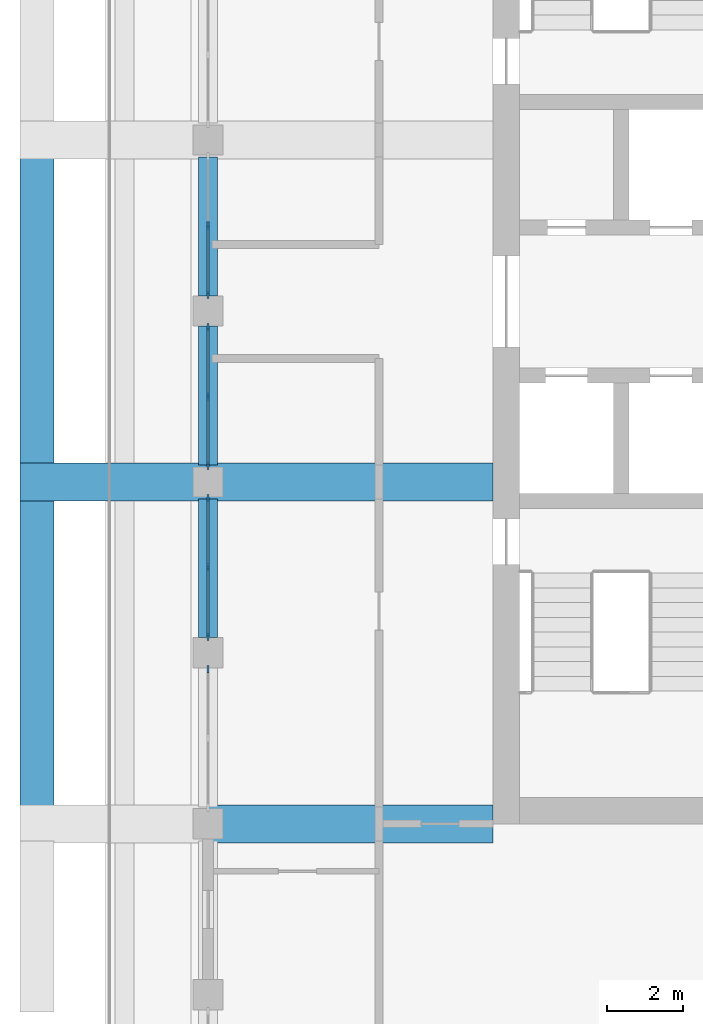
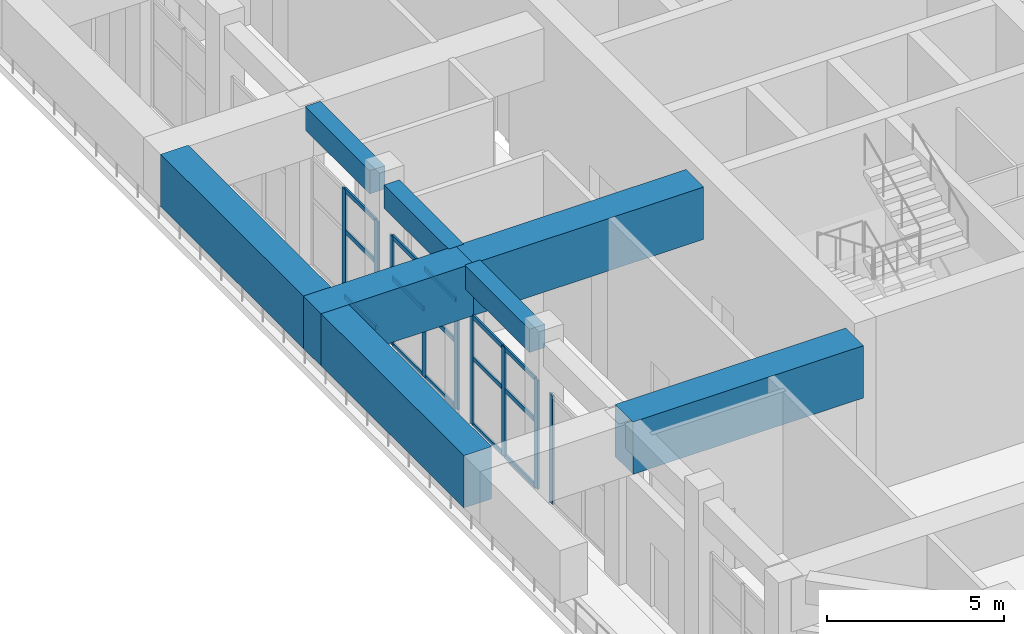
# One storey, part 3 of 25: 24 members, 8 beams, 4 elements without a shape of their own.
"""IFC4 building model written with IfcOpenShell, lengths in metres."""

from ifc_helpers import new_model, si_unit, direction, frame, origin, origin_2d, place, context, subcontext, project, spatial, rectangle, extrude, material, material_profile, profile_set, type_object, element, aggregate, save


model = new_model("IFC4")

# Units and contexts
model_context = context("Model", 3, precision=1e-05, world=origin(), true_north=direction((0.0, 1.0)))
body_context = subcontext(model_context, "Body", "Model", "MODEL_VIEW")
ifc_project = project(units=[si_unit("LENGTHUNIT", "METRE"), si_unit("AREAUNIT", "SQUARE_METRE"), si_unit("VOLUMEUNIT", "CUBIC_METRE"), si_unit("PLANEANGLEUNIT", "RADIAN"), si_unit("MASSUNIT", "GRAM", prefix="KILO")], contexts=[model_context])

# Site, building, storey
site_placement = place(None, origin())
site = spatial("IfcSite", under=ifc_project, at=site_placement, CompositionType="ELEMENT")
building_placement = place(site_placement, origin())
building = spatial("IfcBuilding", under=site, at=building_placement, Name="Corbel Stack Research Tower", CompositionType="ELEMENT")
storey_placement = place(building_placement, frame((0.0, 0.0, 260.300048828125)))
storey = spatial("IfcBuildingStorey", under=building, at=storey_placement, Name="L59", CompositionType="ELEMENT", Elevation=260.300048828125)

# Curtain wall, members
ifc_material_1 = material(Name="Aluminium frame, clear glass", Category="aluminium")
curtain_wall_type = type_object("IfcCurtainWallType", Name="Upper amenity floor curtain wall CW3", PredefinedType="NOTDEFINED", material=ifc_material_1)
curtain_wall_1_placement = place(storey_placement, origin())
curtain_wall_1 = element("IfcCurtainWall", 1, at=curtain_wall_1_placement, inside=storey, type_object=curtain_wall_type, Name="Curtain wall CW3 L59 W05", PredefinedType="NOTDEFINED")
ifc_material_2 = material(Name="Aluminium mullion", Category="aluminium")
ifc_material_profile_1 = material_profile(ifc_material_2, rectangle(XDim=0.06005859375, YDim=0.199951171875, at=origin_2d()), Name="Mullion 60 x 200")
ifc_profile_set_1 = profile_set([ifc_material_profile_1], Name="Aluminium mullion")
member_type_1 = type_object("IfcMemberType", Name="Curtain wall mullion 60 x 200", PredefinedType="MULLION", material=ifc_profile_set_1)
member_1_placement = place(storey_placement, frame((-18.0, 6.75, 0.0), z_axis=(0.0, 0.0, 1.0), x_axis=(1.0, 0.0, 0.0)))
member_1 = element("IfcMember", 2, at=member_1_placement, type_object=member_type_1, Name="CW3 mullion 2", PredefinedType="MULLION", context=body_context, shape_type="SweptSolid", body=[
    extrude(rectangle(XDim=0.06005859375, YDim=0.199951171875, at=origin_2d()), origin(), (0.0, 0.0, 1.0), 3.75),
])
member_2_placement = place(storey_placement, frame((-18.0, 4.929931640625, 0.0), z_axis=(0.0, 0.0, 1.0), x_axis=(1.0, 0.0, 0.0)))
member_2 = element("IfcMember", 3, at=member_2_placement, type_object=member_type_1, Name="CW3 mullion 3", PredefinedType="MULLION", context=body_context, shape_type="SweptSolid", body=[
    extrude(rectangle(XDim=0.06005859375, YDim=0.199951171875, at=origin_2d()), origin(), (0.0, 0.0, 1.0), 3.75),
])

curtain_wall_2_placement = place(storey_placement, origin())
curtain_wall_2 = element("IfcCurtainWall", 4, at=curtain_wall_2_placement, inside=storey, type_object=curtain_wall_type, Name="Curtain wall CW3 L59 W06", PredefinedType="NOTDEFINED")
member_3_placement = place(storey_placement, frame((-18.0, 4.070068359375, 0.0), z_axis=(0.0, 0.0, 1.0), x_axis=(1.0, 0.0, 0.0)))
member_3 = element("IfcMember", 5, at=member_3_placement, type_object=member_type_1, Name="CW3 mullion 1", PredefinedType="MULLION", context=body_context, shape_type="SweptSolid", body=[
    extrude(rectangle(XDim=0.06005859375, YDim=0.199951171875, at=origin_2d()), origin(), (0.0, 0.0, 1.0), 3.75),
])
member_4_placement = place(storey_placement, frame((-18.0, 2.25, 0.0), z_axis=(0.0, 0.0, 1.0), x_axis=(1.0, 0.0, 0.0)))
member_4 = element("IfcMember", 6, at=member_4_placement, type_object=member_type_1, Name="CW3 mullion 2", PredefinedType="MULLION", context=body_context, shape_type="SweptSolid", body=[
    extrude(rectangle(XDim=0.06005859375, YDim=0.199951171875, at=origin_2d()), origin(), (0.0, 0.0, 1.0), 3.75),
])
member_5_placement = place(storey_placement, frame((-18.0, 0.429931640625, 0.0), z_axis=(0.0, 0.0, 1.0), x_axis=(1.0, 0.0, 0.0)))
member_5 = element("IfcMember", 7, at=member_5_placement, type_object=member_type_1, Name="CW3 mullion 3", PredefinedType="MULLION", context=body_context, shape_type="SweptSolid", body=[
    extrude(rectangle(XDim=0.06005859375, YDim=0.199951171875, at=origin_2d()), origin(), (0.0, 0.0, 1.0), 3.75),
])

curtain_wall_3_placement = place(storey_placement, origin())
curtain_wall_3 = element("IfcCurtainWall", 8, at=curtain_wall_3_placement, inside=storey, type_object=curtain_wall_type, Name="Curtain wall CW3 L59 W07", PredefinedType="NOTDEFINED")
member_6_placement = place(storey_placement, frame((-18.0, -0.429931640625, 0.0), z_axis=(0.0, 0.0, 1.0), x_axis=(1.0, 0.0, 0.0)))
member_6 = element("IfcMember", 9, at=member_6_placement, type_object=member_type_1, Name="CW3 mullion 1", PredefinedType="MULLION", context=body_context, shape_type="SweptSolid", body=[
    extrude(rectangle(XDim=0.06005859375, YDim=0.199951171875, at=origin_2d()), origin(), (0.0, 0.0, 1.0), 3.75),
])
member_7_placement = place(storey_placement, frame((-18.0, -2.25, 0.0), z_axis=(0.0, 0.0, 1.0), x_axis=(1.0, 0.0, 0.0)))
member_7 = element("IfcMember", 10, at=member_7_placement, type_object=member_type_1, Name="CW3 mullion 2", PredefinedType="MULLION", context=body_context, shape_type="SweptSolid", body=[
    extrude(rectangle(XDim=0.06005859375, YDim=0.199951171875, at=origin_2d()), origin(), (0.0, 0.0, 1.0), 3.75),
])
member_8_placement = place(storey_placement, frame((-18.0, -4.070068359375, 0.0), z_axis=(0.0, 0.0, 1.0), x_axis=(1.0, 0.0, 0.0)))
member_8 = element("IfcMember", 11, at=member_8_placement, type_object=member_type_1, Name="CW3 mullion 3", PredefinedType="MULLION", context=body_context, shape_type="SweptSolid", body=[
    extrude(rectangle(XDim=0.06005859375, YDim=0.199951171875, at=origin_2d()), origin(), (0.0, 0.0, 1.0), 3.75),
])

# Curtain wall, member
curtain_wall_4_placement = place(storey_placement, origin())
curtain_wall_4 = element("IfcCurtainWall", 12, at=curtain_wall_4_placement, inside=storey, type_object=curtain_wall_type, Name="Curtain wall CW3 L59 W08", PredefinedType="NOTDEFINED")
member_9_placement = place(storey_placement, frame((-18.0, -4.929931640625, 0.0), z_axis=(0.0, 0.0, 1.0), x_axis=(1.0, 0.0, 0.0)))
member_9 = element("IfcMember", 13, at=member_9_placement, type_object=member_type_1, Name="CW3 mullion 1", PredefinedType="MULLION", context=body_context, shape_type="SweptSolid", body=[
    extrude(rectangle(XDim=0.06005859375, YDim=0.199951171875, at=origin_2d()), origin(), (0.0, 0.0, 1.0), 3.75),
])
aggregate(curtain_wall_4, [member_9])

# Member
ifc_material_3 = material(Name="Aluminium transom", Category="aluminium")
ifc_material_profile_2 = material_profile(ifc_material_3, rectangle(XDim=0.06005859375, YDim=0.14990234375, at=origin_2d()), Name="Transom 60 x 150")
ifc_profile_set_2 = profile_set([ifc_material_profile_2], Name="Aluminium transom")
member_type_2 = type_object("IfcMemberType", Name="Curtain wall transom 60 x 150", PredefinedType="USERDEFINED", material=ifc_profile_set_2)
member_10_placement = place(storey_placement, frame((-18.0, 6.719970703125, 0.030029296875), z_axis=(0.0, -1.0, 0.0), x_axis=(1.0, 0.0, 0.0)))
member_10 = element("IfcMember", 14, at=member_10_placement, type_object=member_type_2, Name="CW3 transom 2.1", ObjectType="TRANSOM", PredefinedType="USERDEFINED", context=body_context, shape_type="SweptSolid", body=[
    extrude(rectangle(XDim=0.06005859375, YDim=0.14990234375, at=origin_2d()), origin(), (0.0, 0.0, 1.0), 1.760009765625),
])

member_11_placement = place(storey_placement, frame((-18.0, 6.719970703125, 2.300048828125), z_axis=(0.0, -1.0, 0.0), x_axis=(1.0, 0.0, 0.0)))
member_11 = element("IfcMember", 15, at=member_11_placement, type_object=member_type_2, Name="CW3 transom 2.2", ObjectType="TRANSOM", PredefinedType="USERDEFINED", context=body_context, shape_type="SweptSolid", body=[
    extrude(rectangle(XDim=0.06005859375, YDim=0.14990234375, at=origin_2d()), origin(), (0.0, 0.0, 1.0), 1.760009765625),
])

member_12_placement = place(storey_placement, frame((-18.0, 6.719970703125, 3.719970703125), z_axis=(0.0, -1.0, 0.0), x_axis=(1.0, 0.0, 0.0)))
member_12 = element("IfcMember", 16, at=member_12_placement, type_object=member_type_2, Name="CW3 transom 2.3", ObjectType="TRANSOM", PredefinedType="USERDEFINED", context=body_context, shape_type="SweptSolid", body=[
    extrude(rectangle(XDim=0.06005859375, YDim=0.14990234375, at=origin_2d()), origin(), (0.0, 0.0, 1.0), 1.760009765625),
])

aggregate(curtain_wall_1, [member_1, member_2, member_10, member_11, member_12])

member_13_placement = place(storey_placement, frame((-18.0, 4.0400390625, 0.030029296875), z_axis=(0.0, -1.0, 0.0), x_axis=(1.0, 0.0, 0.0)))
member_13 = element("IfcMember", 17, at=member_13_placement, type_object=member_type_2, Name="CW3 transom 1.1", ObjectType="TRANSOM", PredefinedType="USERDEFINED", context=body_context, shape_type="SweptSolid", body=[
    extrude(rectangle(XDim=0.06005859375, YDim=0.14990234375, at=origin_2d()), origin(), (0.0, 0.0, 1.0), 1.760009765625),
])

member_14_placement = place(storey_placement, frame((-18.0, 4.0400390625, 2.300048828125), z_axis=(0.0, -1.0, 0.0), x_axis=(1.0, 0.0, 0.0)))
member_14 = element("IfcMember", 18, at=member_14_placement, type_object=member_type_2, Name="CW3 transom 1.2", ObjectType="TRANSOM", PredefinedType="USERDEFINED", context=body_context, shape_type="SweptSolid", body=[
    extrude(rectangle(XDim=0.06005859375, YDim=0.14990234375, at=origin_2d()), origin(), (0.0, 0.0, 1.0), 1.760009765625),
])

member_15_placement = place(storey_placement, frame((-18.0, 4.0400390625, 3.719970703125), z_axis=(0.0, -1.0, 0.0), x_axis=(1.0, 0.0, 0.0)))
member_15 = element("IfcMember", 19, at=member_15_placement, type_object=member_type_2, Name="CW3 transom 1.3", ObjectType="TRANSOM", PredefinedType="USERDEFINED", context=body_context, shape_type="SweptSolid", body=[
    extrude(rectangle(XDim=0.06005859375, YDim=0.14990234375, at=origin_2d()), origin(), (0.0, 0.0, 1.0), 1.760009765625),
])

member_16_placement = place(storey_placement, frame((-18.0, 2.219970703125, 0.030029296875), z_axis=(0.0, -1.0, 0.0), x_axis=(1.0, 0.0, 0.0)))
member_16 = element("IfcMember", 20, at=member_16_placement, type_object=member_type_2, Name="CW3 transom 2.1", ObjectType="TRANSOM", PredefinedType="USERDEFINED", context=body_context, shape_type="SweptSolid", body=[
    extrude(rectangle(XDim=0.06005859375, YDim=0.14990234375, at=origin_2d()), origin(), (0.0, 0.0, 1.0), 1.760009765625),
])

member_17_placement = place(storey_placement, frame((-18.0, 2.219970703125, 2.300048828125), z_axis=(0.0, -1.0, 0.0), x_axis=(1.0, 0.0, 0.0)))
member_17 = element("IfcMember", 21, at=member_17_placement, type_object=member_type_2, Name="CW3 transom 2.2", ObjectType="TRANSOM", PredefinedType="USERDEFINED", context=body_context, shape_type="SweptSolid", body=[
    extrude(rectangle(XDim=0.06005859375, YDim=0.14990234375, at=origin_2d()), origin(), (0.0, 0.0, 1.0), 1.760009765625),
])

member_18_placement = place(storey_placement, frame((-18.0, 2.219970703125, 3.719970703125), z_axis=(0.0, -1.0, 0.0), x_axis=(1.0, 0.0, 0.0)))
member_18 = element("IfcMember", 22, at=member_18_placement, type_object=member_type_2, Name="CW3 transom 2.3", ObjectType="TRANSOM", PredefinedType="USERDEFINED", context=body_context, shape_type="SweptSolid", body=[
    extrude(rectangle(XDim=0.06005859375, YDim=0.14990234375, at=origin_2d()), origin(), (0.0, 0.0, 1.0), 1.760009765625),
])

aggregate(curtain_wall_2, [member_3, member_4, member_5, member_13, member_14, member_15, member_16, member_17, member_18])

member_19_placement = place(storey_placement, frame((-18.0, -0.4599609375, 0.030029296875), z_axis=(0.0, -1.0, 0.0), x_axis=(1.0, 0.0, 0.0)))
member_19 = element("IfcMember", 23, at=member_19_placement, type_object=member_type_2, Name="CW3 transom 1.1", ObjectType="TRANSOM", PredefinedType="USERDEFINED", context=body_context, shape_type="SweptSolid", body=[
    extrude(rectangle(XDim=0.06005859375, YDim=0.14990234375, at=origin_2d()), origin(), (0.0, 0.0, 1.0), 1.760009765625),
])

member_20_placement = place(storey_placement, frame((-18.0, -0.4599609375, 2.300048828125), z_axis=(0.0, -1.0, 0.0), x_axis=(1.0, 0.0, 0.0)))
member_20 = element("IfcMember", 24, at=member_20_placement, type_object=member_type_2, Name="CW3 transom 1.2", ObjectType="TRANSOM", PredefinedType="USERDEFINED", context=body_context, shape_type="SweptSolid", body=[
    extrude(rectangle(XDim=0.06005859375, YDim=0.14990234375, at=origin_2d()), origin(), (0.0, 0.0, 1.0), 1.760009765625),
])

member_21_placement = place(storey_placement, frame((-18.0, -0.4599609375, 3.719970703125), z_axis=(0.0, -1.0, 0.0), x_axis=(1.0, 0.0, 0.0)))
member_21 = element("IfcMember", 25, at=member_21_placement, type_object=member_type_2, Name="CW3 transom 1.3", ObjectType="TRANSOM", PredefinedType="USERDEFINED", context=body_context, shape_type="SweptSolid", body=[
    extrude(rectangle(XDim=0.06005859375, YDim=0.14990234375, at=origin_2d()), origin(), (0.0, 0.0, 1.0), 1.760009765625),
])

member_22_placement = place(storey_placement, frame((-18.0, -2.280029296875, 0.030029296875), z_axis=(0.0, -1.0, 0.0), x_axis=(1.0, 0.0, 0.0)))
member_22 = element("IfcMember", 26, at=member_22_placement, type_object=member_type_2, Name="CW3 transom 2.1", ObjectType="TRANSOM", PredefinedType="USERDEFINED", context=body_context, shape_type="SweptSolid", body=[
    extrude(rectangle(XDim=0.06005859375, YDim=0.14990234375, at=origin_2d()), origin(), (0.0, 0.0, 1.0), 1.760009765625),
])

member_23_placement = place(storey_placement, frame((-18.0, -2.280029296875, 2.300048828125), z_axis=(0.0, -1.0, 0.0), x_axis=(1.0, 0.0, 0.0)))
member_23 = element("IfcMember", 27, at=member_23_placement, type_object=member_type_2, Name="CW3 transom 2.2", ObjectType="TRANSOM", PredefinedType="USERDEFINED", context=body_context, shape_type="SweptSolid", body=[
    extrude(rectangle(XDim=0.06005859375, YDim=0.14990234375, at=origin_2d()), origin(), (0.0, 0.0, 1.0), 1.760009765625),
])

member_24_placement = place(storey_placement, frame((-18.0, -2.280029296875, 3.719970703125), z_axis=(0.0, -1.0, 0.0), x_axis=(1.0, 0.0, 0.0)))
member_24 = element("IfcMember", 28, at=member_24_placement, type_object=member_type_2, Name="CW3 transom 2.3", ObjectType="TRANSOM", PredefinedType="USERDEFINED", context=body_context, shape_type="SweptSolid", body=[
    extrude(rectangle(XDim=0.06005859375, YDim=0.14990234375, at=origin_2d()), origin(), (0.0, 0.0, 1.0), 1.760009765625),
])

aggregate(curtain_wall_3, [member_6, member_7, member_8, member_19, member_20, member_21, member_22, member_23, member_24])

# Beams
ifc_material_4 = material(Name="Concrete C60/75", Category="concrete")
ifc_material_profile_3 = material_profile(ifc_material_4, rectangle(XDim=0.5, YDim=0.800048828125, at=origin_2d()), Name="RC 500 x 800")
ifc_profile_set_3 = profile_set([ifc_material_profile_3], Name="Concrete C60/75")
beam_type_1 = type_object("IfcBeamType", Name="SB-500-800-450", PredefinedType="SPANDREL", material=ifc_profile_set_3)
for number, where, z_axis, x_axis, name in (
    (29, (-18.0, 8.550048828125, 5.14990234375), (0.0, -1.0, 0.0), (1.0, 0.0, 0.0), "Spandrel beam L59-34"),
    (30, (-18.0, 4.10009765625, 5.14990234375), (0.0, -1.0, 0.0), (1.0, 0.0, 0.0), "Spandrel beam L59-35"),
    (31, (-18.0, -0.449951171875, 5.14990234375), (0.0, -1.0, 0.0), (1.0, 0.0, 0.0), "Spandrel beam L59-36"),
):
    element("IfcBeam", number, at=place(storey_placement, frame(where, z_axis=z_axis, x_axis=x_axis)), inside=storey, type_object=beam_type_1, Name=name, PredefinedType="SPANDREL", context=body_context, shape_type="SweptSolid", body=[
        extrude(rectangle(XDim=0.5, YDim=0.800048828125, at=origin_2d()), origin(), (0.0, 0.0, 1.0), 3.650146484375),
    ])
ifc_material_5 = material(Name="Concrete C60/75", Category="concrete")
ifc_material_profile_4 = material_profile(ifc_material_5, rectangle(XDim=1.0, YDim=1.800048828125, at=origin_2d()), Name="RC 1000 x 1800")
ifc_profile_set_4 = profile_set([ifc_material_profile_4], Name="Concrete C60/75")
beam_type_2 = type_object("IfcBeamType", Name="TG-1000-1800", PredefinedType="BEAM", material=ifc_profile_set_4)
beam_1_placement = place(storey_placement, frame((-18.0, -9.0, 4.64990234375), z_axis=(1.0, 0.0, 0.0), x_axis=(0.0, 1.0, 0.0)))
element("IfcBeam", 32, at=beam_1_placement, inside=storey, type_object=beam_type_2, Name="Transfer girder L59 W-9b", PredefinedType="BEAM", context=body_context, shape_type="SweptSolid", body=[
    extrude(rectangle(XDim=1.0, YDim=1.800048828125, at=origin_2d()), origin(), (0.0, 0.0, 1.0), 7.5),
])
beam_2_placement = place(storey_placement, frame((-22.949951171875, 0.0, 4.64990234375), z_axis=(1.0, 0.0, 0.0), x_axis=(0.0, 1.0, 0.0)))
element("IfcBeam", 33, at=beam_2_placement, inside=storey, type_object=beam_type_2, Name="Transfer girder L59 W0c", PredefinedType="BEAM", context=body_context, shape_type="SweptSolid", body=[
    extrude(rectangle(XDim=1.0, YDim=1.800048828125, at=origin_2d()), origin(), (0.0, 0.0, 1.0), 4.949951171875),
])
beam_3_placement = place(storey_placement, frame((-18.0, 0.0, 4.64990234375), z_axis=(1.0, 0.0, 0.0), x_axis=(0.0, 1.0, 0.0)))
element("IfcBeam", 34, at=beam_3_placement, inside=storey, type_object=beam_type_2, Name="Transfer girder L59 W0b", PredefinedType="BEAM", context=body_context, shape_type="SweptSolid", body=[
    extrude(rectangle(XDim=1.0, YDim=1.800048828125, at=origin_2d()), origin(), (0.0, 0.0, 1.0), 7.5),
])
ifc_material_6 = material(Name="Concrete C60/75", Category="concrete")
ifc_material_profile_5 = material_profile(ifc_material_6, rectangle(XDim=0.89990234375, YDim=1.800048828125, at=origin_2d()), Name="RC 900 x 1800")
ifc_profile_set_5 = profile_set([ifc_material_profile_5], Name="Concrete C60/75")
beam_type_3 = type_object("IfcBeamType", Name="TG-900-1800", PredefinedType="BEAM", material=ifc_profile_set_5)
for number, where, z_axis, x_axis, name in (
    (35, (-22.5, -8.550048828125, 4.64990234375), (0.0, 1.0, 0.0), (-1.0, 0.0, 0.0), "Transfer edge beam L59 We-9"),
    (36, (-22.5, 0.449951171875, 4.64990234375), (0.0, 1.0, 0.0), (-1.0, 0.0, 0.0), "Transfer edge beam L59 We0"),
):
    element("IfcBeam", number, at=place(storey_placement, frame(where, z_axis=z_axis, x_axis=x_axis)), inside=storey, type_object=beam_type_3, Name=name, PredefinedType="BEAM", context=body_context, shape_type="SweptSolid", body=[
        extrude(rectangle(XDim=0.89990234375, YDim=1.800048828125, at=origin_2d()), origin(), (0.0, 0.0, 1.0), 8.10009765625),
    ])

save(model, "model.ifc")
